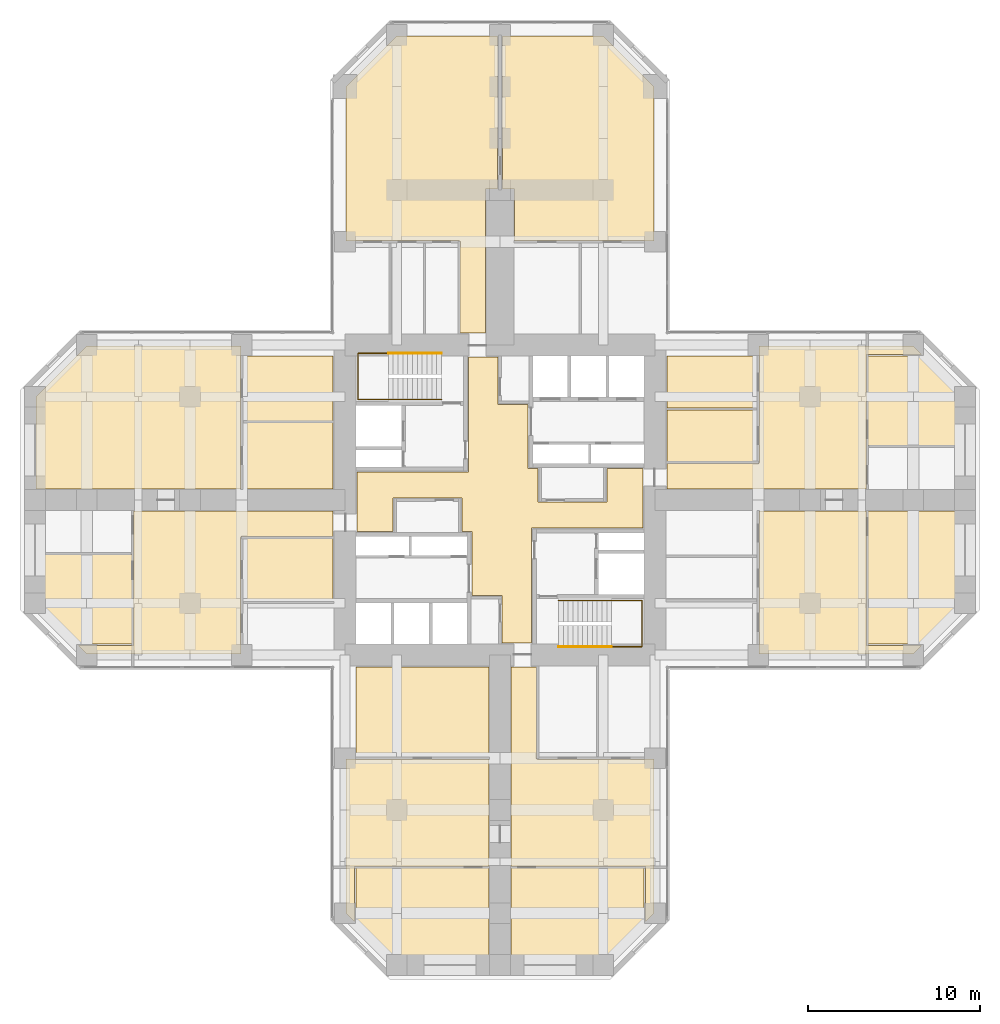
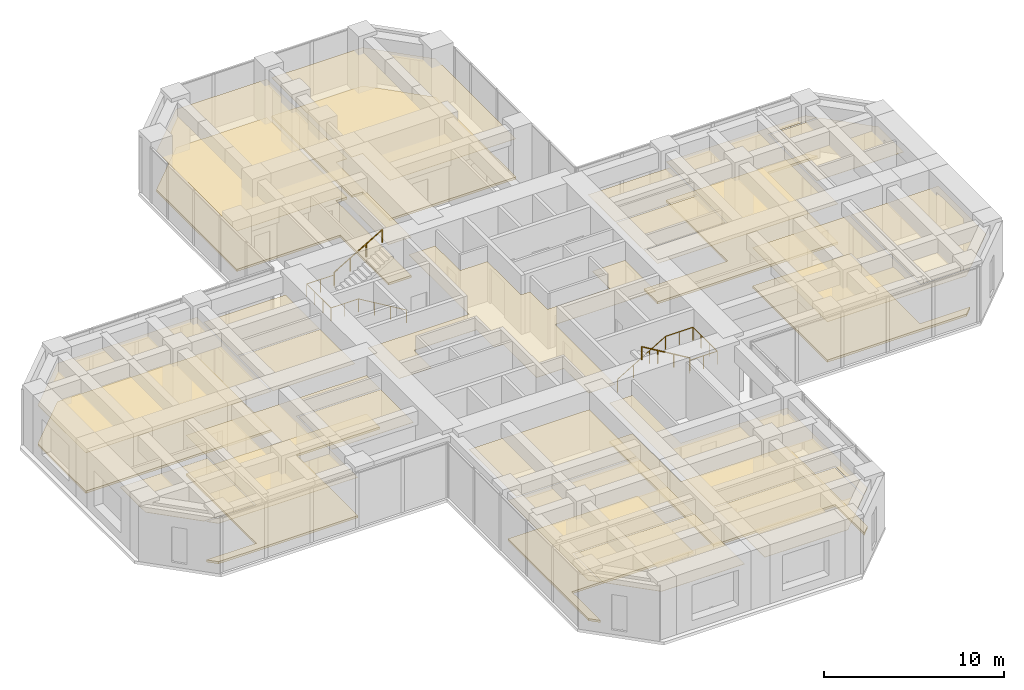
# One storey, part 13 of 13: 28 coverings, 4 railings.
"""IFC4 building model written with IfcOpenShell, lengths in metres."""

from ifc_helpers import new_model, si_unit, direction, frame, origin, origin_2d, place, context, subcontext, project, spatial, polyline, circle, outline, extrude, material, layer, layer_set, constituent, constituent_set, type_object, element, save


model = new_model("IFC4")

# Units and contexts
model_context = context("Model", 3, precision=1e-05, world=origin(), true_north=direction((0.0, 1.0)))
body_context = subcontext(model_context, "Body", "Model", "MODEL_VIEW")
ifc_project = project(units=[si_unit("LENGTHUNIT", "METRE"), si_unit("AREAUNIT", "SQUARE_METRE"), si_unit("VOLUMEUNIT", "CUBIC_METRE"), si_unit("PLANEANGLEUNIT", "RADIAN"), si_unit("MASSUNIT", "GRAM", prefix="KILO")], contexts=[model_context])

# Site, building, storey
site_placement = place(None, origin())
site = spatial("IfcSite", under=ifc_project, at=site_placement, CompositionType="ELEMENT")
building_placement = place(site_placement, origin())
building = spatial("IfcBuilding", under=site, at=building_placement, Name="Torre Cruceta", CompositionType="ELEMENT")
storey_placement = place(building_placement, frame((0.0, 0.0, 91.5)))
storey = spatial("IfcBuildingStorey", under=building, at=storey_placement, Name="L22", CompositionType="ELEMENT", Elevation=91.5)

# Railings
ifc_material_1 = material(Name="Stainless steel 1.4401", Category="steel")
railing_type = type_object("IfcRailingType", Name="HANDRAIL 900", PredefinedType="HANDRAIL", material=ifc_material_1)
railing_1_placement = place(storey_placement, frame((-3.39990234375, 5.8349609375, 0.166748046875)))
element("IfcRailing", 1, at=railing_1_placement, inside=storey, type_object=railing_type, Name="Handrail HR1 ST1 L22", PredefinedType="HANDRAIL", context=body_context, shape_type="SweptSolid", body=[
    extrude(circle(Radius=0.02392578125, at=origin_2d()), frame((0.0, 0.0, 0.8759765625), z_axis=(-0.859308565015, 0.0, 0.511457515432), x_axis=(0.0, -1.0, 0.0)), (0.0, 0.0, 1.0), 3.58447265625),
    extrude(circle(Radius=0.02392578125, at=origin_2d()), frame((-3.080078125, 0.0, 2.708984375), z_axis=(-1.0, 0.0, 0.0), x_axis=(0.0, -1.0, 0.0)), (0.0, 0.0, 1.0), 1.760009765625),
    extrude(circle(Radius=0.02392578125, at=origin_2d()), frame((-4.840087890625, 0.0, 2.708984375), z_axis=(0.0, 1.0, 0.0), x_axis=(-1.0, 0.0, 0.0)), (0.0, 0.0, 1.0), 2.679931640625),
    extrude(circle(Radius=0.02392578125, at=origin_2d()), frame((-4.840087890625, 2.679931640625, 2.708984375), z_axis=(1.0, 0.0, 0.0), x_axis=(0.0, 1.0, 0.0)), (0.0, 0.0, 1.0), 1.760009765625),
    extrude(circle(Radius=0.02099609375, at=origin_2d()), origin(), (0.0, 0.0, 1.0), 0.851806640625),
    extrude(circle(Radius=0.02099609375, at=origin_2d()), frame((-1.026611328125, 0.0, 0.611083984375)), (0.0, 0.0, 1.0), 0.851806640625),
    extrude(circle(Radius=0.02099609375, at=origin_2d()), frame((-2.053466796875, 0.0, 1.22216796875)), (0.0, 0.0, 1.0), 0.851806640625),
    extrude(circle(Radius=0.02099609375, at=origin_2d()), frame((-3.080078125, 0.0, 1.833251953125)), (0.0, 0.0, 1.0), 0.851806640625),
    extrude(circle(Radius=0.02099609375, at=origin_2d()), frame((-3.9599609375, 0.0, 1.833251953125)), (0.0, 0.0, 1.0), 0.851806640625),
    extrude(circle(Radius=0.02099609375, at=origin_2d()), frame((-4.840087890625, 0.0, 1.833251953125)), (0.0, 0.0, 1.0), 0.851806640625),
    extrude(circle(Radius=0.02099609375, at=origin_2d()), frame((-4.840087890625, 0.893310546875, 1.833251953125)), (0.0, 0.0, 1.0), 0.851806640625),
    extrude(circle(Radius=0.02099609375, at=origin_2d()), frame((-4.840087890625, 1.78662109375, 1.833251953125)), (0.0, 0.0, 1.0), 0.851806640625),
    extrude(circle(Radius=0.02099609375, at=origin_2d()), frame((-4.840087890625, 2.679931640625, 1.833251953125)), (0.0, 0.0, 1.0), 0.851806640625),
    extrude(circle(Radius=0.02099609375, at=origin_2d()), frame((-3.9599609375, 2.679931640625, 1.833251953125)), (0.0, 0.0, 1.0), 0.851806640625),
    extrude(circle(Radius=0.02099609375, at=origin_2d()), frame((-3.080078125, 2.679931640625, 1.833251953125)), (0.0, 0.0, 1.0), 0.851806640625),
])
railing_2_placement = place(storey_placement, frame((-6.47998046875, 8.514892578125, 2.166748046875)))
element("IfcRailing", 2, at=railing_2_placement, inside=storey, type_object=railing_type, Name="Handrail HR1 ST1 L22", PredefinedType="HANDRAIL", context=body_context, shape_type="SweptSolid", body=[
    extrude(circle(Radius=0.02392578125, at=origin_2d()), frame((0.0, 0.0, 0.8759765625), z_axis=(0.859308565015, 0.0, 0.511457515432), x_axis=(0.0, 1.0, 0.0)), (0.0, 0.0, 1.0), 3.58447265625),
    extrude(circle(Radius=0.02099609375, at=origin_2d()), origin(), (0.0, 0.0, 1.0), 0.851806640625),
    extrude(circle(Radius=0.02099609375, at=origin_2d()), frame((1.026611328125, 0.0, 0.611083984375)), (0.0, 0.0, 1.0), 0.851806640625),
    extrude(circle(Radius=0.02099609375, at=origin_2d()), frame((2.053466796875, 0.0, 1.22216796875)), (0.0, 0.0, 1.0), 0.851806640625),
    extrude(circle(Radius=0.02099609375, at=origin_2d()), frame((3.080078125, 0.0, 1.833251953125)), (0.0, 0.0, 1.0), 0.851806640625),
])
railing_3_placement = place(storey_placement, frame((3.39990234375, -5.8349609375, 0.166748046875)))
element("IfcRailing", 3, at=railing_3_placement, inside=storey, type_object=railing_type, Name="Handrail HR1 ST2 L22", PredefinedType="HANDRAIL", context=body_context, shape_type="SweptSolid", body=[
    extrude(circle(Radius=0.02392578125, at=origin_2d()), frame((0.0, 0.0, 0.8759765625), z_axis=(0.859308565015, 0.0, 0.511457515432), x_axis=(0.0, 1.0, 0.0)), (0.0, 0.0, 1.0), 3.58447265625),
    extrude(circle(Radius=0.02392578125, at=origin_2d()), frame((3.080078125, 0.0, 2.708984375), z_axis=(1.0, 0.0, 0.0), x_axis=(0.0, 1.0, 0.0)), (0.0, 0.0, 1.0), 1.760009765625),
    extrude(circle(Radius=0.02392578125, at=origin_2d()), frame((4.840087890625, 0.0, 2.708984375), z_axis=(0.0, -1.0, 0.0), x_axis=(1.0, 0.0, 0.0)), (0.0, 0.0, 1.0), 2.679931640625),
    extrude(circle(Radius=0.02392578125, at=origin_2d()), frame((4.840087890625, -2.679931640625, 2.708984375), z_axis=(-1.0, 0.0, 0.0), x_axis=(0.0, -1.0, 0.0)), (0.0, 0.0, 1.0), 1.760009765625),
    extrude(circle(Radius=0.02099609375, at=origin_2d()), origin(), (0.0, 0.0, 1.0), 0.851806640625),
    extrude(circle(Radius=0.02099609375, at=origin_2d()), frame((1.026611328125, 0.0, 0.611083984375)), (0.0, 0.0, 1.0), 0.851806640625),
    extrude(circle(Radius=0.02099609375, at=origin_2d()), frame((2.053466796875, 0.0, 1.22216796875)), (0.0, 0.0, 1.0), 0.851806640625),
    extrude(circle(Radius=0.02099609375, at=origin_2d()), frame((3.080078125, 0.0, 1.833251953125)), (0.0, 0.0, 1.0), 0.851806640625),
    extrude(circle(Radius=0.02099609375, at=origin_2d()), frame((3.9599609375, 0.0, 1.833251953125)), (0.0, 0.0, 1.0), 0.851806640625),
    extrude(circle(Radius=0.02099609375, at=origin_2d()), frame((4.840087890625, 0.0, 1.833251953125)), (0.0, 0.0, 1.0), 0.851806640625),
    extrude(circle(Radius=0.02099609375, at=origin_2d()), frame((4.840087890625, -0.893310546875, 1.833251953125)), (0.0, 0.0, 1.0), 0.851806640625),
    extrude(circle(Radius=0.02099609375, at=origin_2d()), frame((4.840087890625, -1.78662109375, 1.833251953125)), (0.0, 0.0, 1.0), 0.851806640625),
    extrude(circle(Radius=0.02099609375, at=origin_2d()), frame((4.840087890625, -2.679931640625, 1.833251953125)), (0.0, 0.0, 1.0), 0.851806640625),
    extrude(circle(Radius=0.02099609375, at=origin_2d()), frame((3.9599609375, -2.679931640625, 1.833251953125)), (0.0, 0.0, 1.0), 0.851806640625),
    extrude(circle(Radius=0.02099609375, at=origin_2d()), frame((3.080078125, -2.679931640625, 1.833251953125)), (0.0, 0.0, 1.0), 0.851806640625),
])
railing_4_placement = place(storey_placement, frame((6.47998046875, -8.514892578125, 2.166748046875)))
element("IfcRailing", 4, at=railing_4_placement, inside=storey, type_object=railing_type, Name="Handrail HR1 ST2 L22", PredefinedType="HANDRAIL", context=body_context, shape_type="SweptSolid", body=[
    extrude(circle(Radius=0.02392578125, at=origin_2d()), frame((0.0, 0.0, 0.8759765625), z_axis=(-0.859308565015, 0.0, 0.511457515432), x_axis=(0.0, -1.0, 0.0)), (0.0, 0.0, 1.0), 3.58447265625),
    extrude(circle(Radius=0.02099609375, at=origin_2d()), origin(), (0.0, 0.0, 1.0), 0.851806640625),
    extrude(circle(Radius=0.02099609375, at=origin_2d()), frame((-1.026611328125, 0.0, 0.611083984375)), (0.0, 0.0, 1.0), 0.851806640625),
    extrude(circle(Radius=0.02099609375, at=origin_2d()), frame((-2.053466796875, 0.0, 1.22216796875)), (0.0, 0.0, 1.0), 0.851806640625),
    extrude(circle(Radius=0.02099609375, at=origin_2d()), frame((-3.080078125, 0.0, 1.833251953125)), (0.0, 0.0, 1.0), 0.851806640625),
])

# Coverings
ifc_material_2 = material(Name="Steel DX51D", Category="steel")
ifc_constituent_1 = constituent(ifc_material_2, Name="Panel casing")
ifc_material_3 = material(Name="Calcium sulphate", Category="gypsum")
ifc_constituent_2 = constituent(ifc_material_3, Name="Panel core")
ifc_constituent_set = constituent_set(constituents=[ifc_constituent_1, ifc_constituent_2], Name="Raised access floor panel")
covering_type_1 = type_object("IfcCoveringType", Name="RAISED ACCESS FLOOR 150", PredefinedType="FLOORING", material=ifc_constituent_set)
covering_1_placement = place(storey_placement, origin())
element("IfcCovering", 5, at=covering_1_placement, inside=storey, type_object=covering_type_1, Name="Raised floor L22-031", PredefinedType="FLOORING", context=body_context, shape_type="SweptSolid", body=[
    extrude(outline(polyline([(-0.14990234375, 26.949951171875), (-0.14990234375, 18.050048828125), (-0.85009765625, 18.050048828125), (-0.85009765625, 9.699951171875), (-2.324951171875, 9.699951171875), (-2.324951171875, 15.050048828125), (-8.949951171875, 15.050048828125), (-8.949951171875, 23.979248046875), (-5.979248046875, 26.949951171875), (-0.14990234375, 26.949951171875)])), origin(), (0.0, 0.0, 1.0), 0.14990234375),
])
covering_2_placement = place(storey_placement, origin())
element("IfcCovering", 6, at=covering_2_placement, inside=storey, type_object=covering_type_1, Name="Raised floor L22-032", PredefinedType="FLOORING", context=body_context, shape_type="SweptSolid", body=[
    extrude(outline(polyline([(5.979248046875, 26.949951171875), (8.949951171875, 23.979248046875), (8.949951171875, 15.050048828125), (0.85009765625, 15.050048828125), (0.85009765625, 18.050048828125), (0.14990234375, 18.050048828125), (0.14990234375, 26.949951171875), (5.979248046875, 26.949951171875)])), origin(), (0.0, 0.0, 1.0), 0.14990234375),
])
covering_3_placement = place(storey_placement, origin())
element("IfcCovering", 7, at=covering_3_placement, inside=storey, type_object=covering_type_1, Name="Raised floor L22-041", PredefinedType="FLOORING", context=body_context, shape_type="SweptSolid", body=[
    extrude(outline(polyline([(9.699951171875, 2.125), (15.050048828125, 2.125), (15.050048828125, 8.949951171875), (23.979248046875, 8.949951171875), (24.479248046875, 8.449951171875), (21.27001953125, 8.449951171875), (21.27001953125, 0.64990234375), (9.699951171875, 0.64990234375), (9.699951171875, 2.125)])), origin(), (0.0, 0.0, 1.0), 0.14990234375),
])
covering_4_placement = place(storey_placement, origin())
element("IfcCovering", 8, at=covering_4_placement, inside=storey, type_object=covering_type_1, Name="Raised floor L22-042", PredefinedType="FLOORING", context=body_context, shape_type="SweptSolid", body=[
    extrude(outline(polyline([(15.050048828125, -8.949951171875), (15.050048828125, -0.64990234375), (21.27001953125, -0.64990234375), (21.27001953125, -8.449951171875), (24.479248046875, -8.449951171875), (23.979248046875, -8.949951171875), (15.050048828125, -8.949951171875)])), origin(), (0.0, 0.0, 1.0), 0.14990234375),
])
covering_5_placement = place(storey_placement, origin())
element("IfcCovering", 9, at=covering_5_placement, inside=storey, type_object=covering_type_1, Name="Raised floor L22-048", PredefinedType="FLOORING", context=body_context, shape_type="SweptSolid", body=[
    extrude(outline(polyline([(2.125, -9.699951171875), (2.125, -15.050048828125), (8.949951171875, -15.050048828125), (8.949951171875, -23.979248046875), (8.449951171875, -24.479248046875), (8.449951171875, -21.27001953125), (0.64990234375, -21.27001953125), (0.64990234375, -9.699951171875), (2.125, -9.699951171875)])), origin(), (0.0, 0.0, 1.0), 0.14990234375),
])
covering_6_placement = place(storey_placement, origin())
element("IfcCovering", 10, at=covering_6_placement, inside=storey, type_object=covering_type_1, Name="Raised floor L22-049", PredefinedType="FLOORING", context=body_context, shape_type="SweptSolid", body=[
    extrude(outline(polyline([(-8.949951171875, -15.050048828125), (-0.64990234375, -15.050048828125), (-0.64990234375, -21.27001953125), (-8.449951171875, -21.27001953125), (-8.449951171875, -24.479248046875), (-8.949951171875, -23.979248046875), (-8.949951171875, -15.050048828125)])), origin(), (0.0, 0.0, 1.0), 0.14990234375),
])
covering_7_placement = place(storey_placement, origin())
element("IfcCovering", 11, at=covering_7_placement, inside=storey, type_object=covering_type_1, Name="Raised floor L22-056", PredefinedType="FLOORING", context=body_context, shape_type="SweptSolid", body=[
    extrude(outline(polyline([(-9.699951171875, -2.125), (-15.050048828125, -2.125), (-15.050048828125, -8.949951171875), (-23.979248046875, -8.949951171875), (-24.479248046875, -8.449951171875), (-21.27001953125, -8.449951171875), (-21.27001953125, -0.64990234375), (-9.699951171875, -0.64990234375), (-9.699951171875, -2.125)])), origin(), (0.0, 0.0, 1.0), 0.14990234375),
])
covering_8_placement = place(storey_placement, origin())
element("IfcCovering", 12, at=covering_8_placement, inside=storey, type_object=covering_type_1, Name="Raised floor L22-057", PredefinedType="FLOORING", context=body_context, shape_type="SweptSolid", body=[
    extrude(outline(polyline([(-23.979248046875, 8.949951171875), (-15.050048828125, 8.949951171875), (-15.050048828125, 0.64990234375), (-26.949951171875, 0.64990234375), (-26.949951171875, 5.979248046875), (-23.979248046875, 8.949951171875)])), origin(), (0.0, 0.0, 1.0), 0.14990234375),
])
ifc_material_4 = material(Name="Mineral fibre ceiling tile", Category="gypsum")
ifc_layer = layer(ifc_material_4, 0.02001953125)
ifc_layer_set = layer_set([ifc_layer], Name="Mineral fibre ceiling tile")
covering_type_2 = type_object("IfcCoveringType", Name="SUSPENDED CEILING 20", PredefinedType="CEILING", material=ifc_layer_set)
covering_9_placement = place(storey_placement, frame((0.0, 0.0, 2.72998046875)))
element("IfcCovering", 13, at=covering_9_placement, inside=storey, type_object=covering_type_2, Name="Ceiling L22-001", PredefinedType="CEILING", context=body_context, shape_type="SweptSolid", body=[
    extrude(outline(polyline([(1.824951171875, -8.300048828125), (0.125, -8.300048828125), (0.125, -5.550048828125), (-1.625, -5.550048828125), (-1.625, -1.824951171875), (-2.199951171875, -1.824951171875), (-2.199951171875, 0.125), (-6.199951171875, 0.125), (-6.199951171875, -1.824951171875), (-8.300048828125, -1.824951171875), (-8.300048828125, 1.625), (-1.824951171875, 1.625), (-1.824951171875, 8.300048828125), (-0.125, 8.300048828125), (-0.125, 5.550048828125), (1.625, 5.550048828125), (1.625, 1.824951171875), (2.199951171875, 1.824951171875), (2.199951171875, -0.125), (6.199951171875, -0.125), (6.199951171875, 1.824951171875), (8.300048828125, 1.824951171875), (8.300048828125, -1.625), (1.824951171875, -1.625), (1.824951171875, -8.300048828125)])), origin(), (0.0, 0.0, 1.0), 0.02001953125),
])
covering_10_placement = place(storey_placement, frame((0.0, 0.0, 2.72998046875)))
element("IfcCovering", 14, at=covering_10_placement, inside=storey, type_object=covering_type_2, Name="Ceiling L22-031", PredefinedType="CEILING", context=body_context, shape_type="SweptSolid", body=[
    extrude(outline(polyline([(-0.14990234375, 26.949951171875), (-0.14990234375, 18.050048828125), (-0.85009765625, 18.050048828125), (-0.85009765625, 9.699951171875), (-2.324951171875, 9.699951171875), (-2.324951171875, 15.050048828125), (-8.949951171875, 15.050048828125), (-8.949951171875, 23.979248046875), (-5.979248046875, 26.949951171875), (-0.14990234375, 26.949951171875)])), origin(), (0.0, 0.0, 1.0), 0.02001953125),
])
covering_11_placement = place(storey_placement, frame((0.0, 0.0, 2.72998046875)))
element("IfcCovering", 15, at=covering_11_placement, inside=storey, type_object=covering_type_2, Name="Ceiling L22-032", PredefinedType="CEILING", context=body_context, shape_type="SweptSolid", body=[
    extrude(outline(polyline([(5.979248046875, 26.949951171875), (8.949951171875, 23.979248046875), (8.949951171875, 15.050048828125), (0.85009765625, 15.050048828125), (0.85009765625, 18.050048828125), (0.14990234375, 18.050048828125), (0.14990234375, 26.949951171875), (5.979248046875, 26.949951171875)])), origin(), (0.0, 0.0, 1.0), 0.02001953125),
])
covering_12_placement = place(storey_placement, frame((0.0, 0.0, 2.72998046875)))
element("IfcCovering", 16, at=covering_12_placement, inside=storey, type_object=covering_type_2, Name="Ceiling L22-033", PredefinedType="CEILING", context=body_context, shape_type="SweptSolid", body=[
    extrude(outline(polyline([(9.699951171875, 2.22509765625), (9.699951171875, 5.237548828125), (14.949951171875, 5.237548828125), (14.949951171875, 2.22509765625), (9.699951171875, 2.22509765625)])), origin(), (0.0, 0.0, 1.0), 0.02001953125),
])
covering_13_placement = place(storey_placement, frame((0.0, 0.0, 2.72998046875)))
element("IfcCovering", 17, at=covering_13_placement, inside=storey, type_object=covering_type_2, Name="Ceiling L22-034", PredefinedType="CEILING", context=body_context, shape_type="SweptSolid", body=[
    extrude(outline(polyline([(9.699951171875, 5.33740234375), (9.699951171875, 8.35009765625), (14.949951171875, 8.35009765625), (14.949951171875, 5.33740234375), (9.699951171875, 5.33740234375)])), origin(), (0.0, 0.0, 1.0), 0.02001953125),
])
covering_14_placement = place(storey_placement, frame((0.0, 0.0, 2.72998046875)))
element("IfcCovering", 18, at=covering_14_placement, inside=storey, type_object=covering_type_2, Name="Ceiling L22-039", PredefinedType="CEILING", context=body_context, shape_type="SweptSolid", body=[
    extrude(outline(polyline([(26.949951171875, 3.16796875), (21.3701171875, 3.16796875), (21.3701171875, 8.35009765625), (24.579345703125, 8.35009765625), (26.949951171875, 5.979248046875), (26.949951171875, 3.16796875)])), origin(), (0.0, 0.0, 1.0), 0.02001953125),
])
covering_15_placement = place(storey_placement, frame((0.0, 0.0, 2.72998046875)))
element("IfcCovering", 19, at=covering_15_placement, inside=storey, type_object=covering_type_2, Name="Ceiling L22-040", PredefinedType="CEILING", context=body_context, shape_type="SweptSolid", body=[
    extrude(outline(polyline([(24.579345703125, -8.35009765625), (21.3701171875, -8.35009765625), (21.3701171875, -0.64990234375), (26.949951171875, -0.64990234375), (26.949951171875, -5.979248046875), (24.579345703125, -8.35009765625)])), origin(), (0.0, 0.0, 1.0), 0.02001953125),
])
covering_16_placement = place(storey_placement, frame((0.0, 0.0, 2.72998046875)))
element("IfcCovering", 20, at=covering_16_placement, inside=storey, type_object=covering_type_2, Name="Ceiling L22-041", PredefinedType="CEILING", context=body_context, shape_type="SweptSolid", body=[
    extrude(outline(polyline([(9.699951171875, 2.125), (15.050048828125, 2.125), (15.050048828125, 8.949951171875), (23.979248046875, 8.949951171875), (24.479248046875, 8.449951171875), (21.27001953125, 8.449951171875), (21.27001953125, 0.64990234375), (9.699951171875, 0.64990234375), (9.699951171875, 2.125)])), origin(), (0.0, 0.0, 1.0), 0.02001953125),
])
covering_17_placement = place(storey_placement, frame((0.0, 0.0, 2.72998046875)))
element("IfcCovering", 21, at=covering_17_placement, inside=storey, type_object=covering_type_2, Name="Ceiling L22-042", PredefinedType="CEILING", context=body_context, shape_type="SweptSolid", body=[
    extrude(outline(polyline([(15.050048828125, -8.949951171875), (15.050048828125, -0.64990234375), (21.27001953125, -0.64990234375), (21.27001953125, -8.449951171875), (24.479248046875, -8.449951171875), (23.979248046875, -8.949951171875), (15.050048828125, -8.949951171875)])), origin(), (0.0, 0.0, 1.0), 0.02001953125),
])
covering_18_placement = place(storey_placement, frame((0.0, 0.0, 2.72998046875)))
element("IfcCovering", 22, at=covering_18_placement, inside=storey, type_object=covering_type_2, Name="Ceiling L22-045", PredefinedType="CEILING", context=body_context, shape_type="SweptSolid", body=[
    extrude(outline(polyline([(-8.35009765625, -9.699951171875), (-0.64990234375, -9.699951171875), (-0.64990234375, -14.949951171875), (-8.35009765625, -14.949951171875), (-8.35009765625, -9.699951171875)])), origin(), (0.0, 0.0, 1.0), 0.02001953125),
])
covering_19_placement = place(storey_placement, frame((0.0, 0.0, 2.72998046875)))
element("IfcCovering", 23, at=covering_19_placement, inside=storey, type_object=covering_type_2, Name="Ceiling L22-046", PredefinedType="CEILING", context=body_context, shape_type="SweptSolid", body=[
    extrude(outline(polyline([(0.64990234375, -26.949951171875), (0.64990234375, -21.3701171875), (8.35009765625, -21.3701171875), (8.35009765625, -24.579345703125), (5.979248046875, -26.949951171875), (0.64990234375, -26.949951171875)])), origin(), (0.0, 0.0, 1.0), 0.02001953125),
])
covering_20_placement = place(storey_placement, frame((0.0, 0.0, 2.72998046875)))
element("IfcCovering", 24, at=covering_20_placement, inside=storey, type_object=covering_type_2, Name="Ceiling L22-047", PredefinedType="CEILING", context=body_context, shape_type="SweptSolid", body=[
    extrude(outline(polyline([(-8.35009765625, -24.579345703125), (-8.35009765625, -21.3701171875), (-0.64990234375, -21.3701171875), (-0.64990234375, -26.949951171875), (-5.979248046875, -26.949951171875), (-8.35009765625, -24.579345703125)])), origin(), (0.0, 0.0, 1.0), 0.02001953125),
])
covering_21_placement = place(storey_placement, frame((0.0, 0.0, 2.72998046875)))
element("IfcCovering", 25, at=covering_21_placement, inside=storey, type_object=covering_type_2, Name="Ceiling L22-048", PredefinedType="CEILING", context=body_context, shape_type="SweptSolid", body=[
    extrude(outline(polyline([(2.125, -9.699951171875), (2.125, -15.050048828125), (8.949951171875, -15.050048828125), (8.949951171875, -23.979248046875), (8.449951171875, -24.479248046875), (8.449951171875, -21.27001953125), (0.64990234375, -21.27001953125), (0.64990234375, -9.699951171875), (2.125, -9.699951171875)])), origin(), (0.0, 0.0, 1.0), 0.02001953125),
])
covering_22_placement = place(storey_placement, frame((0.0, 0.0, 2.72998046875)))
element("IfcCovering", 26, at=covering_22_placement, inside=storey, type_object=covering_type_2, Name="Ceiling L22-049", PredefinedType="CEILING", context=body_context, shape_type="SweptSolid", body=[
    extrude(outline(polyline([(-8.949951171875, -15.050048828125), (-0.64990234375, -15.050048828125), (-0.64990234375, -21.27001953125), (-8.449951171875, -21.27001953125), (-8.449951171875, -24.479248046875), (-8.949951171875, -23.979248046875), (-8.949951171875, -15.050048828125)])), origin(), (0.0, 0.0, 1.0), 0.02001953125),
])
covering_23_placement = place(storey_placement, frame((0.0, 0.0, 2.72998046875)))
element("IfcCovering", 27, at=covering_23_placement, inside=storey, type_object=covering_type_2, Name="Ceiling L22-050", PredefinedType="CEILING", context=body_context, shape_type="SweptSolid", body=[
    extrude(outline(polyline([(-9.699951171875, -2.22509765625), (-9.699951171875, -5.888916015625), (-14.949951171875, -5.888916015625), (-14.949951171875, -2.22509765625), (-9.699951171875, -2.22509765625)])), origin(), (0.0, 0.0, 1.0), 0.02001953125),
])
covering_24_placement = place(storey_placement, frame((0.0, 0.0, 2.72998046875)))
element("IfcCovering", 28, at=covering_24_placement, inside=storey, type_object=covering_type_2, Name="Ceiling L22-052", PredefinedType="CEILING", context=body_context, shape_type="SweptSolid", body=[
    extrude(outline(polyline([(-9.699951171875, 4.5), (-9.699951171875, 0.64990234375), (-14.949951171875, 0.64990234375), (-14.949951171875, 4.5), (-9.699951171875, 4.5)])), origin(), (0.0, 0.0, 1.0), 0.02001953125),
])
covering_25_placement = place(storey_placement, frame((0.0, 0.0, 2.72998046875)))
element("IfcCovering", 29, at=covering_25_placement, inside=storey, type_object=covering_type_2, Name="Ceiling L22-053", PredefinedType="CEILING", context=body_context, shape_type="SweptSolid", body=[
    extrude(outline(polyline([(-9.699951171875, 8.35009765625), (-9.699951171875, 4.60009765625), (-14.949951171875, 4.60009765625), (-14.949951171875, 8.35009765625), (-9.699951171875, 8.35009765625)])), origin(), (0.0, 0.0, 1.0), 0.02001953125),
])
covering_26_placement = place(storey_placement, frame((0.0, 0.0, 2.72998046875)))
element("IfcCovering", 30, at=covering_26_placement, inside=storey, type_object=covering_type_2, Name="Ceiling L22-055", PredefinedType="CEILING", context=body_context, shape_type="SweptSolid", body=[
    extrude(outline(polyline([(-26.949951171875, -3.16796875), (-21.3701171875, -3.16796875), (-21.3701171875, -8.35009765625), (-24.579345703125, -8.35009765625), (-26.949951171875, -5.979248046875), (-26.949951171875, -3.16796875)])), origin(), (0.0, 0.0, 1.0), 0.02001953125),
])
covering_27_placement = place(storey_placement, frame((0.0, 0.0, 2.72998046875)))
element("IfcCovering", 31, at=covering_27_placement, inside=storey, type_object=covering_type_2, Name="Ceiling L22-056", PredefinedType="CEILING", context=body_context, shape_type="SweptSolid", body=[
    extrude(outline(polyline([(-9.699951171875, -2.125), (-15.050048828125, -2.125), (-15.050048828125, -8.949951171875), (-23.979248046875, -8.949951171875), (-24.479248046875, -8.449951171875), (-21.27001953125, -8.449951171875), (-21.27001953125, -0.64990234375), (-9.699951171875, -0.64990234375), (-9.699951171875, -2.125)])), origin(), (0.0, 0.0, 1.0), 0.02001953125),
])
covering_28_placement = place(storey_placement, frame((0.0, 0.0, 2.72998046875)))
element("IfcCovering", 32, at=covering_28_placement, inside=storey, type_object=covering_type_2, Name="Ceiling L22-057", PredefinedType="CEILING", context=body_context, shape_type="SweptSolid", body=[
    extrude(outline(polyline([(-23.979248046875, 8.949951171875), (-15.050048828125, 8.949951171875), (-15.050048828125, 0.64990234375), (-26.949951171875, 0.64990234375), (-26.949951171875, 5.979248046875), (-23.979248046875, 8.949951171875)])), origin(), (0.0, 0.0, 1.0), 0.02001953125),
])

save(model, "model.ifc")
